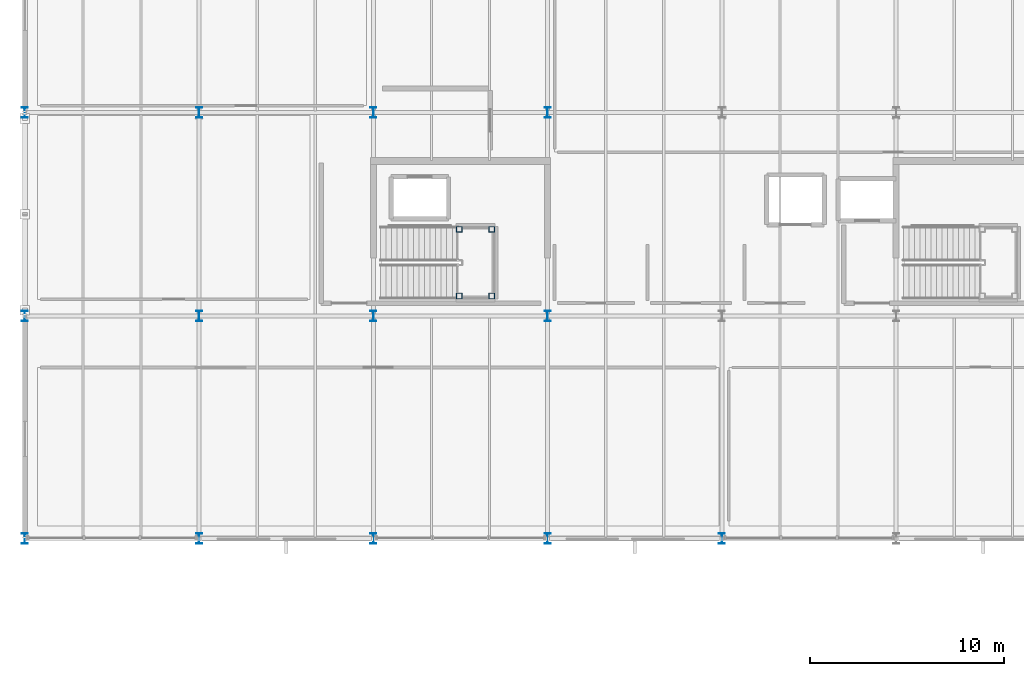
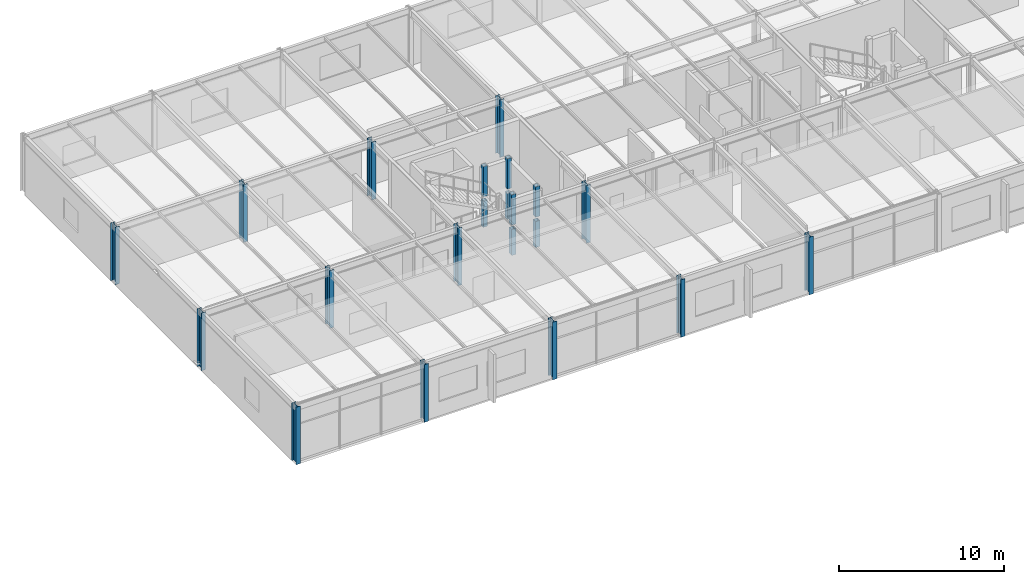
# One storey, part 1 of 44: 21 columns.
"""IFC4 building model written with IfcOpenShell, lengths in metres."""

from ifc_helpers import new_model, si_unit, direction, frame, origin, origin_2d, place, context, subcontext, project, spatial, hollow_rectangle, i_section, extrude, material, material_profile, profile_set, type_object, element, save


model = new_model("IFC4")

# Units and contexts
model_context = context("Model", 3, precision=1e-05, world=origin(), true_north=direction((0.0, 1.0)))
body_context = subcontext(model_context, "Body", "Model", "MODEL_VIEW")
ifc_project = project(units=[si_unit("LENGTHUNIT", "METRE"), si_unit("AREAUNIT", "SQUARE_METRE"), si_unit("VOLUMEUNIT", "CUBIC_METRE"), si_unit("PLANEANGLEUNIT", "RADIAN"), si_unit("MASSUNIT", "GRAM", prefix="KILO")], contexts=[model_context])

# Site, building, storey
site_placement = place(None, origin())
site = spatial("IfcSite", under=ifc_project, at=site_placement, CompositionType="ELEMENT")
building_placement = place(site_placement, origin())
building = spatial("IfcBuilding", under=site, at=building_placement, Name="Marlcrest Central Station", CompositionType="ELEMENT")
storey_placement = place(building_placement, frame((0.0, 0.0, 19.5)))
storey = spatial("IfcBuildingStorey", under=building, at=storey_placement, Name="L04", CompositionType="ELEMENT", Elevation=19.5)

# Columns
ifc_material = material(Name="Steel S355", Category="steel")
ifc_material_profile_1 = material_profile(ifc_material, i_section(OverallWidth=0.300048828125, OverallDepth=0.550048828125, WebThickness=0.014892578125, FlangeThickness=0.029052734375, FilletRadius=0.027099609375, at=origin_2d()), Name="HEB 550")
ifc_profile_set_1 = profile_set([ifc_material_profile_1], Name="Steel S355")
column_type_1 = type_object("IfcColumnType", Name="SC-04", PredefinedType="COLUMN", material=ifc_profile_set_1)
for number, where, z_axis, x_axis, name in (
    (1, (0.0, 99.0, 0.0), (0.0, 0.0, 1.0), (1.0, 0.0, 0.0), "col-SC-04-L04-0193"),
    (2, (0.0, 110.5, 0.0), (0.0, 0.0, 1.0), (1.0, 0.0, 0.0), "col-SC-04-L04-0194"),
    (3, (0.0, 121.0, 0.0), (0.0, 0.0, 1.0), (1.0, 0.0, 0.0), "col-SC-04-L04-0195"),
    (4, (9.0, 99.0, 0.0), (0.0, 0.0, 1.0), (1.0, 0.0, 0.0), "col-SC-04-L04-0197"),
    (5, (9.0, 110.5, 0.0), (0.0, 0.0, 1.0), (1.0, 0.0, 0.0), "col-SC-04-L04-0198"),
    (6, (9.0, 121.0, 0.0), (0.0, 0.0, 1.0), (1.0, 0.0, 0.0), "col-SC-04-L04-0199"),
    (7, (18.0, 99.0, 0.0), (0.0, 0.0, 1.0), (1.0, 0.0, 0.0), "col-SC-04-L04-0201"),
    (8, (18.0, 110.5, 0.0), (0.0, 0.0, 1.0), (1.0, 0.0, 0.0), "col-SC-04-L04-0202"),
    (9, (18.0, 121.0, 0.0), (0.0, 0.0, 1.0), (1.0, 0.0, 0.0), "col-SC-04-L04-0203"),
    (10, (27.0, 99.0, 0.0), (0.0, 0.0, 1.0), (1.0, 0.0, 0.0), "col-SC-04-L04-0205"),
    (11, (27.0, 110.5, 0.0), (0.0, 0.0, 1.0), (1.0, 0.0, 0.0), "col-SC-04-L04-0206"),
    (12, (27.0, 121.0, 0.0), (0.0, 0.0, 1.0), (1.0, 0.0, 0.0), "col-SC-04-L04-0207"),
    (13, (36.0, 99.0, 0.0), (0.0, 0.0, 1.0), (1.0, 0.0, 0.0), "col-SC-04-L04-0209"),
):
    element("IfcColumn", number, at=place(storey_placement, frame(where, z_axis=z_axis, x_axis=x_axis)), inside=storey, type_object=column_type_1, Name=name, PredefinedType="COLUMN", context=body_context, shape_type="SweptSolid", body=[
        extrude(i_section(OverallWidth=0.300048828125, OverallDepth=0.550048828125, WebThickness=0.014892578125, FlangeThickness=0.029052734375, FilletRadius=0.027099609375, at=origin_2d()), origin(), (0.0, 0.0, 1.0), 4.27490234375),
    ])
ifc_material_profile_2 = material_profile(ifc_material, hollow_rectangle(XDim=0.300048828125, YDim=0.300048828125, WallThickness=0.01611328125, at=origin_2d()), Name="SHS 300x300x16")
ifc_profile_set_2 = profile_set([ifc_material_profile_2], Name="Steel S355")
column_type_2 = type_object("IfcColumnType", Name="SC-19", PredefinedType="COLUMN", material=ifc_profile_set_2)
column_1_placement = place(storey_placement, frame((22.43994140625, 111.530029296875, 0.0), z_axis=(0.0, 0.0, 1.0), x_axis=(1.0, 0.0, 0.0)))
element("IfcColumn", 14, at=column_1_placement, inside=storey, type_object=column_type_2, Name="htcol-lo-0052-0", PredefinedType="COLUMN", context=body_context, shape_type="SweptSolid", body=[
    extrude(hollow_rectangle(XDim=0.300048828125, YDim=0.300048828125, WallThickness=0.01611328125, at=origin_2d()), origin(), (0.0, 0.0, 1.0), 1.929931640625),
])
column_2_placement = place(storey_placement, frame((22.43994140625, 111.530029296875, 2.25), z_axis=(0.0, 0.0, 1.0), x_axis=(1.0, 0.0, 0.0)))
element("IfcColumn", 15, at=column_2_placement, inside=storey, type_object=column_type_2, Name="htcol-hi-0052-0", PredefinedType="COLUMN", context=body_context, shape_type="SweptSolid", body=[
    extrude(hollow_rectangle(XDim=0.300048828125, YDim=0.300048828125, WallThickness=0.01611328125, at=origin_2d()), origin(), (0.0, 0.0, 1.0), 2.25),
])
column_3_placement = place(storey_placement, frame((24.1201171875, 111.530029296875, 0.0), z_axis=(0.0, 0.0, 1.0), x_axis=(1.0, 0.0, 0.0)))
element("IfcColumn", 16, at=column_3_placement, inside=storey, type_object=column_type_2, Name="htcol-lo-0052-1", PredefinedType="COLUMN", context=body_context, shape_type="SweptSolid", body=[
    extrude(hollow_rectangle(XDim=0.300048828125, YDim=0.300048828125, WallThickness=0.01611328125, at=origin_2d()), origin(), (0.0, 0.0, 1.0), 1.929931640625),
])
column_4_placement = place(storey_placement, frame((24.1201171875, 111.530029296875, 2.25), z_axis=(0.0, 0.0, 1.0), x_axis=(1.0, 0.0, 0.0)))
element("IfcColumn", 17, at=column_4_placement, inside=storey, type_object=column_type_2, Name="htcol-hi-0052-1", PredefinedType="COLUMN", context=body_context, shape_type="SweptSolid", body=[
    extrude(hollow_rectangle(XDim=0.300048828125, YDim=0.300048828125, WallThickness=0.01611328125, at=origin_2d()), origin(), (0.0, 0.0, 1.0), 2.25),
])
column_5_placement = place(storey_placement, frame((24.1201171875, 114.969970703125, 0.0), z_axis=(0.0, 0.0, 1.0), x_axis=(1.0, 0.0, 0.0)))
element("IfcColumn", 18, at=column_5_placement, inside=storey, type_object=column_type_2, Name="htcol-lo-0052-2", PredefinedType="COLUMN", context=body_context, shape_type="SweptSolid", body=[
    extrude(hollow_rectangle(XDim=0.300048828125, YDim=0.300048828125, WallThickness=0.01611328125, at=origin_2d()), origin(), (0.0, 0.0, 1.0), 1.929931640625),
])
column_6_placement = place(storey_placement, frame((24.1201171875, 114.969970703125, 2.25), z_axis=(0.0, 0.0, 1.0), x_axis=(1.0, 0.0, 0.0)))
element("IfcColumn", 19, at=column_6_placement, inside=storey, type_object=column_type_2, Name="htcol-hi-0052-2", PredefinedType="COLUMN", context=body_context, shape_type="SweptSolid", body=[
    extrude(hollow_rectangle(XDim=0.300048828125, YDim=0.300048828125, WallThickness=0.01611328125, at=origin_2d()), origin(), (0.0, 0.0, 1.0), 2.25),
])
column_7_placement = place(storey_placement, frame((22.43994140625, 114.969970703125, 0.0), z_axis=(0.0, 0.0, 1.0), x_axis=(1.0, 0.0, 0.0)))
element("IfcColumn", 20, at=column_7_placement, inside=storey, type_object=column_type_2, Name="htcol-lo-0052-3", PredefinedType="COLUMN", context=body_context, shape_type="SweptSolid", body=[
    extrude(hollow_rectangle(XDim=0.300048828125, YDim=0.300048828125, WallThickness=0.01611328125, at=origin_2d()), origin(), (0.0, 0.0, 1.0), 1.929931640625),
])
column_8_placement = place(storey_placement, frame((22.43994140625, 114.969970703125, 2.25), z_axis=(0.0, 0.0, 1.0), x_axis=(1.0, 0.0, 0.0)))
element("IfcColumn", 21, at=column_8_placement, inside=storey, type_object=column_type_2, Name="htcol-hi-0052-3", PredefinedType="COLUMN", context=body_context, shape_type="SweptSolid", body=[
    extrude(hollow_rectangle(XDim=0.300048828125, YDim=0.300048828125, WallThickness=0.01611328125, at=origin_2d()), origin(), (0.0, 0.0, 1.0), 2.25),
])

save(model, "model.ifc")
